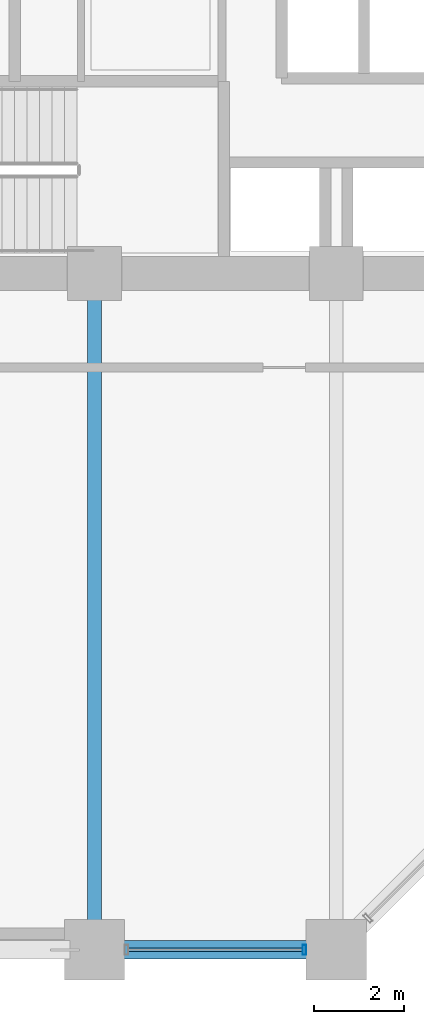
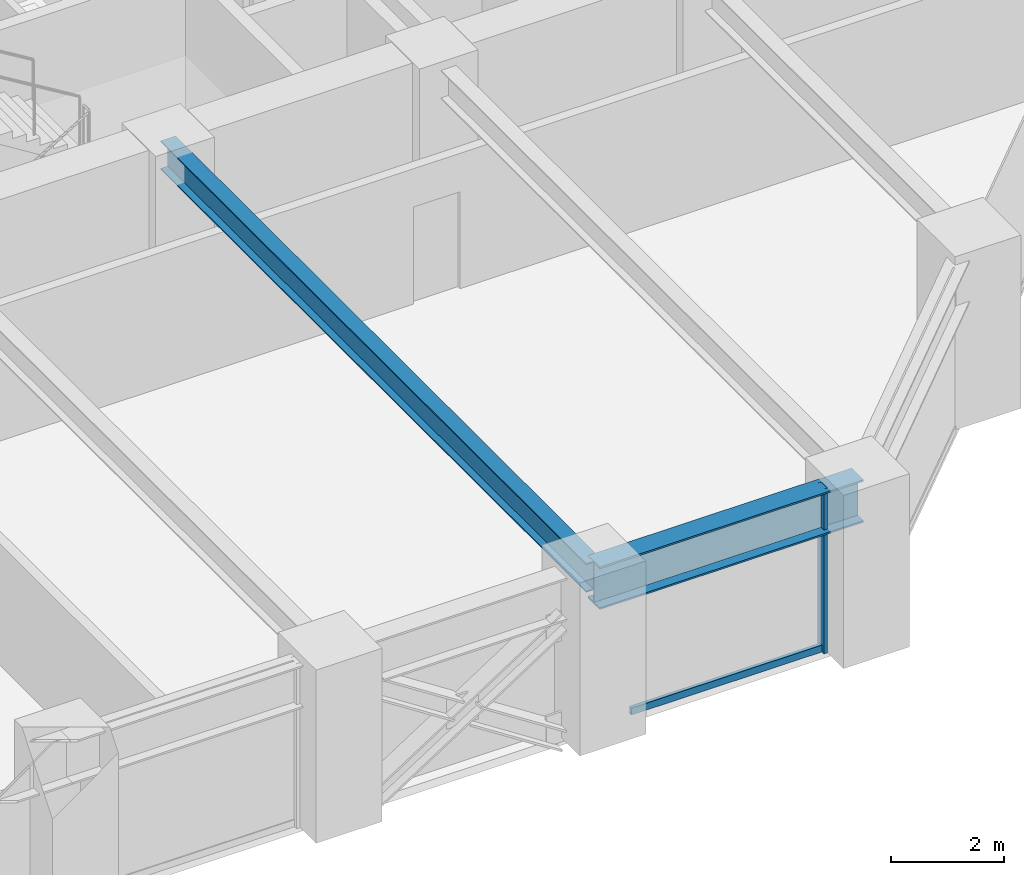
# One storey, part 5 of 25: 2 beams, 2 members, 1 element without a shape of its own.
"""IFC4 building model written with IfcOpenShell, lengths in metres."""

from ifc_helpers import new_model, si_unit, direction, frame, origin, origin_2d, place, context, subcontext, project, spatial, hollow_rectangle, i_section, extrude, material, layer, layer_set, material_profile, profile_set, type_object, element, aggregate, save


model = new_model("IFC4")

# Units and contexts
model_context = context("Model", 3, precision=1e-05, world=origin(), true_north=direction((0.0, 1.0)))
body_context = subcontext(model_context, "Body", "Model", "MODEL_VIEW")
ifc_project = project(units=[si_unit("LENGTHUNIT", "METRE"), si_unit("AREAUNIT", "SQUARE_METRE"), si_unit("VOLUMEUNIT", "CUBIC_METRE"), si_unit("PLANEANGLEUNIT", "RADIAN"), si_unit("MASSUNIT", "GRAM", prefix="KILO")], contexts=[model_context])

# Site, building, storey
site_placement = place(None, origin())
site = spatial("IfcSite", under=ifc_project, at=site_placement, CompositionType="ELEMENT")
building_placement = place(site_placement, origin())
building = spatial("IfcBuilding", under=site, at=building_placement, Name="Surkhivell Harbour Commons", CompositionType="ELEMENT")
storey_placement = place(building_placement, frame((0.0, 0.0, 41.25)))
storey = spatial("IfcBuildingStorey", under=building, at=storey_placement, Name="L10", CompositionType="ELEMENT", Elevation=41.25)

# Beams
ifc_material_1 = material(Name="Steel S355", Category="steel")
ifc_material_profile_1 = material_profile(ifc_material_1, i_section(OverallWidth=0.306884765625, OverallDepth=0.6201171875, WebThickness=0.01416015625, FlangeThickness=0.023681640625, at=origin_2d()), Name="UB610x305x179")
ifc_profile_set_1 = profile_set([ifc_material_profile_1], Name="Steel S355")
beam_type_1 = type_object("IfcBeamType", Name="BM-GRD-610A", PredefinedType="BEAM", material=ifc_profile_set_1)
beam_1_placement = place(storey_placement, frame((-5.39990234375, -25.89990234375, 3.260009765625), z_axis=(0.0, 1.0, 0.0), x_axis=(-1.0, 0.0, 0.0)))
element("IfcBeam", 1, at=beam_1_placement, inside=storey, type_object=beam_type_1, Name="L10 Floor Girder (-5.4,-25.9)", PredefinedType="BEAM", context=body_context, shape_type="SweptSolid", body=[
    extrude(i_section(OverallWidth=0.306884765625, OverallDepth=0.6201171875, WebThickness=0.01416015625, FlangeThickness=0.023681640625, at=origin_2d()), origin(), (0.0, 0.0, 1.0), 15.099853515625),
])
ifc_material_2 = material(Name="Steel S460", Category="steel")
ifc_material_profile_2 = material_profile(ifc_material_2, i_section(OverallWidth=0.419921875, OverallDepth=0.9208984375, WebThickness=0.021484375, FlangeThickness=0.03662109375, at=origin_2d()), Name="UB914x419x388")
ifc_profile_set_2 = profile_set([ifc_material_profile_2], Name="Steel S460")
beam_type_2 = type_object("IfcBeamType", Name="BM-SPN-914A", PredefinedType="SPANDREL", material=ifc_profile_set_2)
beam_2_placement = place(storey_placement, frame((-5.39990234375, -25.89990234375, 3.109619140625), z_axis=(1.0, 0.0, 0.0), x_axis=(0.0, 1.0, 0.0)))
element("IfcBeam", 2, at=beam_2_placement, inside=storey, type_object=beam_type_2, Name="L10 Tube Spandrel (-5.4,-25.9)", PredefinedType="SPANDREL", context=body_context, shape_type="SweptSolid", body=[
    extrude(i_section(OverallWidth=0.419921875, OverallDepth=0.9208984375, WebThickness=0.021484375, FlangeThickness=0.03662109375, at=origin_2d()), origin(), (0.0, 0.0, 1.0), 5.39990234375),
])

# Curtain wall, members
ifc_material_3 = material(Name="Anodised pale-metal aluminium and insulated glazing", Category="aluminium")
ifc_layer = layer(ifc_material_3, 0.219970703125)
ifc_layer_set = layer_set([ifc_layer], Name="Anodised pale-metal aluminium and insulated glazing")
curtain_wall_type = type_object("IfcCurtainWallType", Name="CW-SYS-Z1", PredefinedType="NOTDEFINED", material=ifc_layer_set)
curtain_wall_placement = place(storey_placement, origin())
curtain_wall = element("IfcCurtainWall", 3, at=curtain_wall_placement, inside=storey, type_object=curtain_wall_type, Name="L10 Curtain Wall CW-L10-E00S2", PredefinedType="NOTDEFINED")
ifc_material_4 = material(Name="Anodised pale-metal aluminium alloy 6063-T6", Category="aluminium")
ifc_material_profile_3 = material_profile(ifc_material_4, hollow_rectangle(XDim=0.074951171875, YDim=0.219970703125, WallThickness=0.00390625, at=origin_2d()), Name="ALU-MULL-75x220")
ifc_profile_set_3 = profile_set([ifc_material_profile_3], Name="Anodised pale-metal aluminium alloy 6063-T6")
member_type_1 = type_object("IfcMemberType", Name="CWM-220", PredefinedType="MULLION", material=ifc_profile_set_3)
member_1_placement = place(storey_placement, frame((-0.714599609375, -25.89990234375, 0.0), z_axis=(0.0, 0.0, 1.0), x_axis=(1.0, 0.0, 0.0)))
member_1 = element("IfcMember", 4, at=member_1_placement, type_object=member_type_1, Name="CW-Z1 mullion 2", PredefinedType="MULLION", context=body_context, shape_type="SweptSolid", body=[
    extrude(hollow_rectangle(XDim=0.074951171875, YDim=0.219970703125, WallThickness=0.00390625, at=origin_2d()), origin(), (0.0, 0.0, 1.0), 3.570068359375),
])
ifc_material_profile_4 = material_profile(ifc_material_4, hollow_rectangle(XDim=0.074951171875, YDim=0.14990234375, WallThickness=0.00341796875, at=origin_2d()), Name="ALU-TRAN-75x150")
ifc_profile_set_4 = profile_set([ifc_material_profile_4], Name="Anodised pale-metal aluminium alloy 6063-T6")
member_type_2 = type_object("IfcMemberType", Name="CWT-150", PredefinedType="USERDEFINED", material=ifc_profile_set_4)
member_2_placement = place(storey_placement, frame((-4.64794921875, -25.89990234375, 0.074951171875), z_axis=(1.0, 0.0, 0.0), x_axis=(0.0, 1.0, 0.0)))
member_2 = element("IfcMember", 5, at=member_2_placement, type_object=member_type_2, Name="CW-Z1 transom 1.1", ObjectType="TRANSOM", PredefinedType="USERDEFINED", context=body_context, shape_type="SweptSolid", body=[
    extrude(hollow_rectangle(XDim=0.074951171875, YDim=0.14990234375, WallThickness=0.00341796875, at=origin_2d()), origin(), (0.0, 0.0, 1.0), 3.89599609375),
])
aggregate(curtain_wall, [member_1, member_2])

save(model, "model.ifc")
